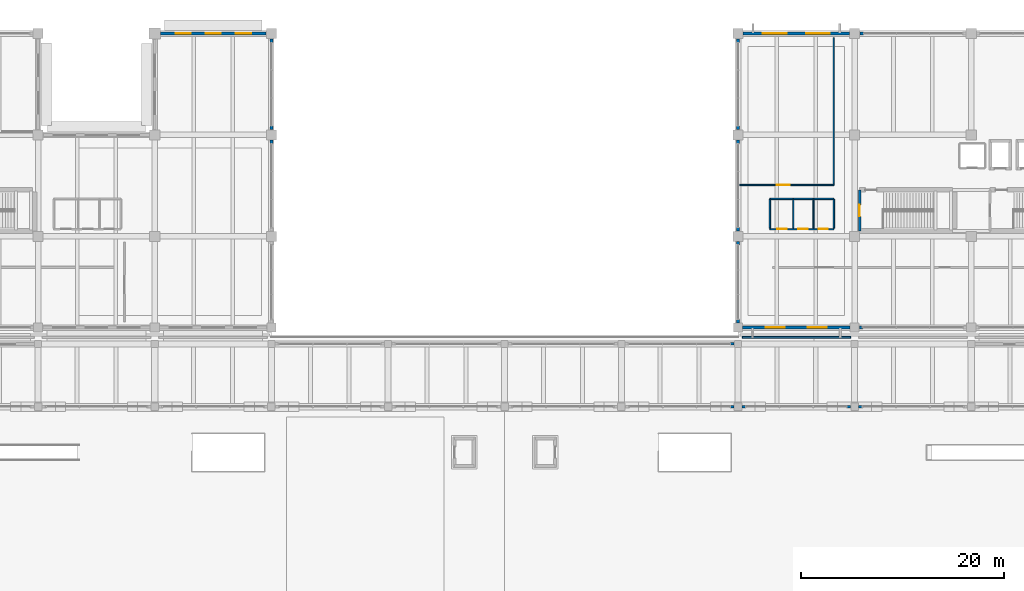
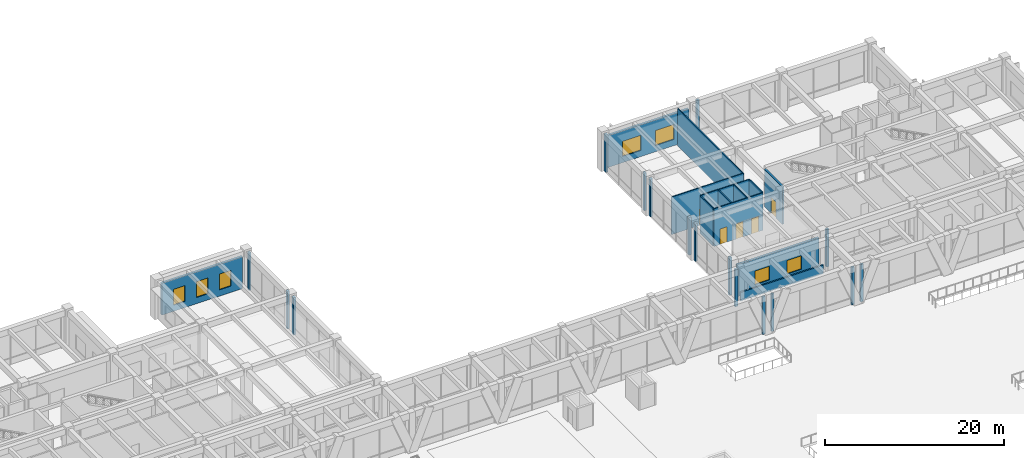
# One storey, part 130 of 148: 29 walls, 7 windows, 5 doors, 12 openings.
"""IFC4 building model written with IfcOpenShell, lengths in metres."""

from ifc_helpers import new_model, si_unit, direction, frame, frame_2d, origin, place, context, subcontext, project, spatial, rectangle, extrude, material, layer, layer_set, type_object, element, fill, save


model = new_model("IFC4")

# Units and contexts
model_context = context("Model", 3, precision=1e-05, world=origin(), true_north=direction((0.0, 1.0)))
body_context = subcontext(model_context, "Body", "Model", "MODEL_VIEW")
ifc_project = project(units=[si_unit("LENGTHUNIT", "METRE"), si_unit("AREAUNIT", "SQUARE_METRE"), si_unit("VOLUMEUNIT", "CUBIC_METRE"), si_unit("PLANEANGLEUNIT", "RADIAN"), si_unit("MASSUNIT", "GRAM", prefix="KILO")], contexts=[model_context])

# Site, building, storey
site_placement = place(None, origin())
site = spatial("IfcSite", under=ifc_project, at=site_placement, CompositionType="ELEMENT")
building_placement = place(site_placement, origin())
building = spatial("IfcBuilding", under=site, at=building_placement, Name="Ologun Quay Terminus", CompositionType="ELEMENT")
storey_placement = place(building_placement, frame((0.0, 0.0, 8.39990234375)))
storey = spatial("IfcBuildingStorey", under=building, at=storey_placement, Name="L02", CompositionType="ELEMENT", Elevation=8.39990234375)

# Wall, opening, door
ifc_material_1 = material(Name="Glass", Category="glass")
ifc_layer_1 = layer(ifc_material_1, 0.125)
ifc_layer_set_1 = layer_set([ifc_layer_1], Name="Glass")
wall_type_1 = type_object("IfcWallType", Name="Control Room Observation Glazed Partition 125", PredefinedType="MOVABLE", material=ifc_layer_set_1)
wall_1_placement = place(storey_placement, frame((115.159912109375, 99.85009765625, 0.0), z_axis=(0.0, 0.0, 1.0), x_axis=(1.0, 0.0, 0.0)))
wall_1 = element("IfcWall", 1, at=wall_1_placement, inside=storey, type_object=wall_type_1, Name="PW-12 Partition L02-CTC-E", PredefinedType="MOVABLE", context=body_context, shape_type="SweptSolid", body=[
    extrude(rectangle(XDim=9.2900390625, YDim=0.125, at=frame_2d((4.64501953125, 0.0))), origin(), (0.0, 0.0, 1.0), 5.1201171875),
])
opening_1_placement = place(wall_1_placement, frame((3.639892578125, 0.0, 0.0)))
opening_1 = element("IfcOpeningElement", 2, at=opening_1_placement, cuts=wall_1, Name="Opening ID-320", PredefinedType="OPENING", context=body_context, shape_type="SweptSolid", body=[
    extrude(rectangle(XDim=1.300048828125, YDim=2.199951171875, at=frame_2d((0.64990234375, 1.10009765625))), frame((0.0, 0.072509765625, 0.0), z_axis=(0.0, -1.0, 0.0), x_axis=(1.0, 0.0, 0.0)), (0.0, 0.0, 1.0), 0.14501953125),
])
ifc_material_2 = material(Name="Steel S355", Category="steel")
door_type_1 = type_object("IfcDoorType", Name="Traffic Control Security Door 1300x2200", OperationType="SINGLE_SWING_LEFT", PredefinedType="DOOR", material=ifc_material_2)
door_1_placement = place(opening_1_placement, origin())
door_1 = element("IfcDoor", 3, at=door_1_placement, inside=storey, type_object=door_type_1, Name="ID-09 Door ID-320", OperationType="SINGLE_SWING_LEFT", OverallHeight=2.199951171875, OverallWidth=1.300048828125, PredefinedType="DOOR", context=body_context, shape_type="SweptSolid", body=[
    extrude(rectangle(XDim=1.300048828125, YDim=2.199951171875, at=frame_2d((0.64990234375, 1.10009765625))), frame((0.0, 0.02490234375, 0.0), z_axis=(0.0, -1.0, 0.0), x_axis=(1.0, 0.0, 0.0)), (0.0, 0.0, 1.0), 0.050048828125),
])
fill(opening_1, door_1)

# Walls
wall_2_placement = place(storey_placement, frame((124.449951171875, 99.85009765625, 0.0), z_axis=(0.0, 0.0, 1.0), x_axis=(0.0, 1.0, 0.0)))
element("IfcWall", 4, at=wall_2_placement, inside=storey, type_object=wall_type_1, Name="PW-12 Partition L02-CTC-N", PredefinedType="MOVABLE", context=body_context, shape_type="SweptSolid", body=[
    extrude(rectangle(XDim=14.5498046875, YDim=0.125, at=frame_2d((7.27490234375, 0.0))), origin(), (0.0, 0.0, 1.0), 5.1201171875),
])
ifc_material_3 = material(Name="Concrete C40/50", Category="concrete")
ifc_layer_2 = layer(ifc_material_3, 0.280029296875)
ifc_layer_set_2 = layer_set([ifc_layer_2], Name="Concrete C40/50")
wall_type_2 = type_object("IfcWallType", Name="Courtyard Wing Spandrel Concrete Wall 280", PredefinedType="SOLIDWALL", material=ifc_layer_set_2)
wall_3_placement = place(storey_placement, frame((69.0, 103.929931640625, 0.0), z_axis=(0.0, 0.0, 1.0), x_axis=(0.0, 1.0, 0.0)))
element("IfcWall", 5, at=wall_3_placement, inside=storey, type_object=wall_type_2, Name="Curtain Wall Jamb Pier CW-L02-106-J2", PredefinedType="SOLIDWALL", context=body_context, shape_type="SweptSolid", body=[
    extrude(rectangle(XDim=0.35009765625, YDim=0.280029296875, at=frame_2d((0.175048828125, 0.0))), origin(), (0.0, 0.0, 1.0), 5.130126953125),
])
wall_4_placement = place(storey_placement, frame((69.0, 105.320068359375, 0.0), z_axis=(0.0, 0.0, 1.0), x_axis=(0.0, 1.0, 0.0)))
element("IfcWall", 6, at=wall_4_placement, inside=storey, type_object=wall_type_2, Name="Curtain Wall Jamb Pier CW-L02-107-J1", PredefinedType="SOLIDWALL", context=body_context, shape_type="SweptSolid", body=[
    extrude(rectangle(XDim=0.349853515625, YDim=0.280029296875, at=frame_2d((0.1748046875, 0.0))), origin(), (0.0, 0.0, 1.0), 5.130126953125),
])
wall_5_placement = place(storey_placement, frame((69.0, 113.929931640625, 0.0), z_axis=(0.0, 0.0, 1.0), x_axis=(0.0, 1.0, 0.0)))
element("IfcWall", 7, at=wall_5_placement, inside=storey, type_object=wall_type_2, Name="Curtain Wall Jamb Pier CW-L02-107-J2", PredefinedType="SOLIDWALL", context=body_context, shape_type="SweptSolid", body=[
    extrude(rectangle(XDim=0.35009765625, YDim=0.280029296875, at=frame_2d((0.175048828125, 0.0))), origin(), (0.0, 0.0, 1.0), 5.130126953125),
])

# Wall, openings, windows
wall_6_placement = place(storey_placement, frame((58.070068359375, 114.800048828125, 0.0), z_axis=(0.0, 0.0, 1.0), x_axis=(1.0, 0.0, 0.0)))
wall_6 = element("IfcWall", 8, at=wall_6_placement, inside=storey, type_object=wall_type_2, Name="EW-02 Facade Wall WEW-WW-N-L02-10", PredefinedType="SOLIDWALL", context=body_context, shape_type="SweptSolid", body=[
    extrude(rectangle(XDim=10.409912109375, YDim=0.280029296875, at=frame_2d((5.205078125, 0.0))), origin(), (0.0, 0.0, 1.0), 4.35009765625),
])
opening_2_placement = place(wall_6_placement, frame((1.4775390625, 0.0, 0.85009765625)))
opening_2 = element("IfcOpeningElement", 9, at=opening_2_placement, cuts=wall_6, Name="Opening WN-253", PredefinedType="OPENING", context=body_context, shape_type="SweptSolid", body=[
    extrude(rectangle(XDim=1.5, YDim=2.14990234375, at=frame_2d((0.75, 1.074951171875))), frame((0.0, 0.14990234375, 0.0), z_axis=(0.0, -1.0, 0.0), x_axis=(1.0, 0.0, 0.0)), (0.0, 0.0, 1.0), 0.300048828125),
])
opening_3_placement = place(wall_6_placement, frame((4.455078125, 0.0, 0.85009765625)))
opening_3 = element("IfcOpeningElement", 10, at=opening_3_placement, cuts=wall_6, Name="Opening WN-254", PredefinedType="OPENING", context=body_context, shape_type="SweptSolid", body=[
    extrude(rectangle(XDim=1.5, YDim=2.14990234375, at=frame_2d((0.75, 1.074951171875))), frame((0.0, 0.14990234375, 0.0), z_axis=(0.0, -1.0, 0.0), x_axis=(1.0, 0.0, 0.0)), (0.0, 0.0, 1.0), 0.300048828125),
])
opening_4_placement = place(wall_6_placement, frame((7.4326171875, 0.0, 0.85009765625)))
opening_4 = element("IfcOpeningElement", 11, at=opening_4_placement, cuts=wall_6, Name="Opening WN-255", PredefinedType="OPENING", context=body_context, shape_type="SweptSolid", body=[
    extrude(rectangle(XDim=1.5, YDim=2.14990234375, at=frame_2d((0.75, 1.074951171875))), frame((0.0, 0.14990234375, 0.0), z_axis=(0.0, -1.0, 0.0), x_axis=(1.0, 0.0, 0.0)), (0.0, 0.0, 1.0), 0.300048828125),
])
ifc_material_4 = material(Name="Glass", Category="glass")
window_type_1 = type_object("IfcWindowType", Name="Community Hall Tall Window 1500x2150", PartitioningType="SINGLE_PANEL", PredefinedType="WINDOW", material=ifc_material_4)
window_1_placement = place(opening_2_placement, origin())
window_1 = element("IfcWindow", 12, at=window_1_placement, inside=storey, type_object=window_type_1, Name="W-14 Window WN-253", OverallHeight=2.14990234375, OverallWidth=1.5, PartitioningType="SINGLE_PANEL", PredefinedType="WINDOW", context=body_context, shape_type="SweptSolid", body=[
    extrude(rectangle(XDim=1.5, YDim=2.14990234375, at=frame_2d((0.75, 1.074951171875))), frame((0.0, 0.030029296875, 0.0), z_axis=(0.0, -1.0, 0.0), x_axis=(1.0, 0.0, 0.0)), (0.0, 0.0, 1.0), 0.06005859375),
])
fill(opening_2, window_1)
window_2_placement = place(opening_3_placement, origin())
window_2 = element("IfcWindow", 13, at=window_2_placement, inside=storey, type_object=window_type_1, Name="W-14 Window WN-254", OverallHeight=2.14990234375, OverallWidth=1.5, PartitioningType="SINGLE_PANEL", PredefinedType="WINDOW", context=body_context, shape_type="SweptSolid", body=[
    extrude(rectangle(XDim=1.5, YDim=2.14990234375, at=frame_2d((0.75, 1.074951171875))), frame((0.0, 0.030029296875, 0.0), z_axis=(0.0, -1.0, 0.0), x_axis=(1.0, 0.0, 0.0)), (0.0, 0.0, 1.0), 0.06005859375),
])
fill(opening_3, window_2)
window_3_placement = place(opening_4_placement, origin())
window_3 = element("IfcWindow", 14, at=window_3_placement, inside=storey, type_object=window_type_1, Name="W-14 Window WN-255", OverallHeight=2.14990234375, OverallWidth=1.5, PartitioningType="SINGLE_PANEL", PredefinedType="WINDOW", context=body_context, shape_type="SweptSolid", body=[
    extrude(rectangle(XDim=1.5, YDim=2.14990234375, at=frame_2d((0.75, 1.074951171875))), frame((0.0, 0.030029296875, 0.0), z_axis=(0.0, -1.0, 0.0), x_axis=(1.0, 0.0, 0.0)), (0.0, 0.0, 1.0), 0.06005859375),
])
fill(opening_4, window_3)

wall_7_placement = place(storey_placement, frame((115.469970703125, 85.800048828125, 0.0), z_axis=(0.0, 0.0, 1.0), x_axis=(1.0, 0.0, 0.0)))
wall_7 = element("IfcWall", 15, at=wall_7_placement, inside=storey, type_object=wall_type_2, Name="EW-02 Facade Wall WEW-EW-L02-1", PredefinedType="SOLIDWALL", context=body_context, shape_type="SweptSolid", body=[
    extrude(rectangle(XDim=10.56005859375, YDim=0.280029296875, at=frame_2d((5.280029296875, 0.0))), origin(), (0.0, 0.0, 1.0), 4.35009765625),
])
opening_5_placement = place(wall_7_placement, frame((2.28662109375, 0.0, 0.85009765625)))
opening_5 = element("IfcOpeningElement", 16, at=opening_5_placement, cuts=wall_7, Name="Opening WN-386", PredefinedType="OPENING", context=body_context, shape_type="SweptSolid", body=[
    extrude(rectangle(XDim=1.85009765625, YDim=1.85009765625, at=frame_2d((0.925048828125, 0.925048828125))), frame((0.0, 0.14990234375, 0.0), z_axis=(0.0, -1.0, 0.0), x_axis=(1.0, 0.0, 0.0)), (0.0, 0.0, 1.0), 0.300048828125),
])
opening_6_placement = place(wall_7_placement, frame((6.42333984375, 0.0, 0.85009765625)))
opening_6 = element("IfcOpeningElement", 17, at=opening_6_placement, cuts=wall_7, Name="Opening WN-387", PredefinedType="OPENING", context=body_context, shape_type="SweptSolid", body=[
    extrude(rectangle(XDim=1.85009765625, YDim=1.85009765625, at=frame_2d((0.925048828125, 0.925048828125))), frame((0.0, 0.14990234375, 0.0), z_axis=(0.0, -1.0, 0.0), x_axis=(1.0, 0.0, 0.0)), (0.0, 0.0, 1.0), 0.300048828125),
])
ifc_material_5 = material(Name="Glass", Category="glass")
window_type_2 = type_object("IfcWindowType", Name="SCADA Control Glazed Window 1850x1850", PartitioningType="SINGLE_PANEL", PredefinedType="WINDOW", material=ifc_material_5)
window_4_placement = place(opening_5_placement, origin())
window_4 = element("IfcWindow", 18, at=window_4_placement, inside=storey, type_object=window_type_2, Name="W-20 Window WN-386", OverallHeight=1.85009765625, OverallWidth=1.85009765625, PartitioningType="SINGLE_PANEL", PredefinedType="WINDOW", context=body_context, shape_type="SweptSolid", body=[
    extrude(rectangle(XDim=1.85009765625, YDim=1.85009765625, at=frame_2d((0.925048828125, 0.925048828125))), frame((0.0, 0.030029296875, 0.0), z_axis=(0.0, -1.0, 0.0), x_axis=(1.0, 0.0, 0.0)), (0.0, 0.0, 1.0), 0.06005859375),
])
fill(opening_5, window_4)
window_5_placement = place(opening_6_placement, origin())
window_5 = element("IfcWindow", 19, at=window_5_placement, inside=storey, type_object=window_type_2, Name="W-20 Window WN-387", OverallHeight=1.85009765625, OverallWidth=1.85009765625, PartitioningType="SINGLE_PANEL", PredefinedType="WINDOW", context=body_context, shape_type="SweptSolid", body=[
    extrude(rectangle(XDim=1.85009765625, YDim=1.85009765625, at=frame_2d((0.925048828125, 0.925048828125))), frame((0.0, 0.030029296875, 0.0), z_axis=(0.0, -1.0, 0.0), x_axis=(1.0, 0.0, 0.0)), (0.0, 0.0, 1.0), 0.06005859375),
])
fill(opening_6, window_5)

# Wall
wall_8_placement = place(storey_placement, frame((126.969970703125, 85.800048828125, 0.0), z_axis=(0.0, 0.0, 1.0), x_axis=(1.0, 0.0, 0.0)))
element("IfcWall", 20, at=wall_8_placement, inside=storey, type_object=wall_type_2, Name="Curtain Wall Jamb Pier CW-L02-131-J1", PredefinedType="SOLIDWALL", context=body_context, shape_type="SweptSolid", body=[
    extrude(rectangle(XDim=0.35009765625, YDim=0.280029296875, at=frame_2d((0.175048828125, 0.0))), origin(), (0.0, 0.0, 1.0), 5.130126953125),
])

# Wall, openings, windows
wall_9_placement = place(storey_placement, frame((115.52001953125, 114.800048828125, 0.0), z_axis=(0.0, 0.0, 1.0), x_axis=(1.0, 0.0, 0.0)))
wall_9 = element("IfcWall", 21, at=wall_9_placement, inside=storey, type_object=wall_type_2, Name="EW-02 Facade Wall WEW-EW-L02-17", PredefinedType="SOLIDWALL", context=body_context, shape_type="SweptSolid", body=[
    extrude(rectangle(XDim=10.4599609375, YDim=0.280029296875, at=frame_2d((5.22998046875, 0.0))), origin(), (0.0, 0.0, 1.0), 4.35009765625),
])
opening_7_placement = place(wall_9_placement, frame((1.919921875, 0.0, 0.85009765625)))
opening_7 = element("IfcOpeningElement", 22, at=opening_7_placement, cuts=wall_9, Name="Opening WN-413", PredefinedType="OPENING", context=body_context, shape_type="SweptSolid", body=[
    extrude(rectangle(XDim=2.35009765625, YDim=2.050048828125, at=frame_2d((1.175048828125, 1.02490234375))), frame((0.0, 0.14990234375, 0.0), z_axis=(0.0, -1.0, 0.0), x_axis=(1.0, 0.0, 0.0)), (0.0, 0.0, 1.0), 0.300048828125),
])
opening_8_placement = place(wall_9_placement, frame((6.18994140625, 0.0, 0.85009765625)))
opening_8 = element("IfcOpeningElement", 23, at=opening_8_placement, cuts=wall_9, Name="Opening WN-414", PredefinedType="OPENING", context=body_context, shape_type="SweptSolid", body=[
    extrude(rectangle(XDim=2.35009765625, YDim=2.050048828125, at=frame_2d((1.175048828125, 1.02490234375))), frame((0.0, 0.14990234375, 0.0), z_axis=(0.0, -1.0, 0.0), x_axis=(1.0, 0.0, 0.0)), (0.0, 0.0, 1.0), 0.300048828125),
])
ifc_material_6 = material(Name="Glass", Category="glass")
window_type_3 = type_object("IfcWindowType", Name="Traffic Control Acoustic Window 2350x2050", PartitioningType="SINGLE_PANEL", PredefinedType="WINDOW", material=ifc_material_6)
window_6_placement = place(opening_7_placement, origin())
window_6 = element("IfcWindow", 24, at=window_6_placement, inside=storey, type_object=window_type_3, Name="W-19 Window WN-413", OverallHeight=2.050048828125, OverallWidth=2.35009765625, PartitioningType="SINGLE_PANEL", PredefinedType="WINDOW", context=body_context, shape_type="SweptSolid", body=[
    extrude(rectangle(XDim=2.35009765625, YDim=2.050048828125, at=frame_2d((1.175048828125, 1.02490234375))), frame((0.0, 0.030029296875, 0.0), z_axis=(0.0, -1.0, 0.0), x_axis=(1.0, 0.0, 0.0)), (0.0, 0.0, 1.0), 0.06005859375),
])
fill(opening_7, window_6)
window_7_placement = place(opening_8_placement, origin())
window_7 = element("IfcWindow", 25, at=window_7_placement, inside=storey, type_object=window_type_3, Name="W-19 Window WN-414", OverallHeight=2.050048828125, OverallWidth=2.35009765625, PartitioningType="SINGLE_PANEL", PredefinedType="WINDOW", context=body_context, shape_type="SweptSolid", body=[
    extrude(rectangle(XDim=2.35009765625, YDim=2.050048828125, at=frame_2d((1.175048828125, 1.02490234375))), frame((0.0, 0.030029296875, 0.0), z_axis=(0.0, -1.0, 0.0), x_axis=(1.0, 0.0, 0.0)), (0.0, 0.0, 1.0), 0.06005859375),
])
fill(opening_8, window_7)

# Walls
for number, where, z_axis, x_axis, name in (
    (26, (127.02001953125, 114.800048828125, 0.0), (0.0, 0.0, 1.0), (1.0, 0.0, 0.0), "Curtain Wall Jamb Pier CW-L02-133-J1"),
    (27, (115.0, 86.27001953125, 0.0), (0.0, 0.0, 1.0), (0.0, 1.0, 0.0), "Curtain Wall Jamb Pier CW-L02-135-J1"),
    (28, (115.0, 93.929931640625, 0.0), (0.0, 0.0, 1.0), (0.0, 1.0, 0.0), "Curtain Wall Jamb Pier CW-L02-135-J2"),
):
    element("IfcWall", number, at=place(storey_placement, frame(where, z_axis=z_axis, x_axis=x_axis)), inside=storey, type_object=wall_type_2, Name=name, PredefinedType="SOLIDWALL", context=body_context, shape_type="SweptSolid", body=[
        extrude(rectangle(XDim=0.35009765625, YDim=0.280029296875, at=frame_2d((0.175048828125, 0.0))), origin(), (0.0, 0.0, 1.0), 5.130126953125),
    ])
wall_10_placement = place(storey_placement, frame((115.0, 95.320068359375, 0.0), z_axis=(0.0, 0.0, 1.0), x_axis=(0.0, 1.0, 0.0)))
element("IfcWall", 29, at=wall_10_placement, inside=storey, type_object=wall_type_2, Name="Curtain Wall Jamb Pier CW-L02-136-J1", PredefinedType="SOLIDWALL", context=body_context, shape_type="SweptSolid", body=[
    extrude(rectangle(XDim=0.349853515625, YDim=0.280029296875, at=frame_2d((0.1748046875, 0.0))), origin(), (0.0, 0.0, 1.0), 5.130126953125),
])
wall_11_placement = place(storey_placement, frame((115.0, 103.929931640625, 0.0), z_axis=(0.0, 0.0, 1.0), x_axis=(0.0, 1.0, 0.0)))
element("IfcWall", 30, at=wall_11_placement, inside=storey, type_object=wall_type_2, Name="Curtain Wall Jamb Pier CW-L02-136-J2", PredefinedType="SOLIDWALL", context=body_context, shape_type="SweptSolid", body=[
    extrude(rectangle(XDim=0.35009765625, YDim=0.280029296875, at=frame_2d((0.175048828125, 0.0))), origin(), (0.0, 0.0, 1.0), 5.130126953125),
])
wall_12_placement = place(storey_placement, frame((115.0, 105.320068359375, 0.0), z_axis=(0.0, 0.0, 1.0), x_axis=(0.0, 1.0, 0.0)))
element("IfcWall", 31, at=wall_12_placement, inside=storey, type_object=wall_type_2, Name="Curtain Wall Jamb Pier CW-L02-137-J1", PredefinedType="SOLIDWALL", context=body_context, shape_type="SweptSolid", body=[
    extrude(rectangle(XDim=0.349853515625, YDim=0.280029296875, at=frame_2d((0.1748046875, 0.0))), origin(), (0.0, 0.0, 1.0), 5.130126953125),
])
wall_13_placement = place(storey_placement, frame((115.0, 113.929931640625, 0.0), z_axis=(0.0, 0.0, 1.0), x_axis=(0.0, 1.0, 0.0)))
element("IfcWall", 32, at=wall_13_placement, inside=storey, type_object=wall_type_2, Name="Curtain Wall Jamb Pier CW-L02-137-J2", PredefinedType="SOLIDWALL", context=body_context, shape_type="SweptSolid", body=[
    extrude(rectangle(XDim=0.35009765625, YDim=0.280029296875, at=frame_2d((0.175048828125, 0.0))), origin(), (0.0, 0.0, 1.0), 5.130126953125),
])

# Wall, opening, door
ifc_material_7 = material(Name="Concrete C40/50", Category="concrete")
ifc_layer_3 = layer(ifc_material_7, 0.239990234375)
ifc_layer_set_3 = layer_set([ifc_layer_3], Name="Concrete C40/50")
wall_type_3 = type_object("IfcWallType", Name="Fire Compartment Blockwork Wall 240", PredefinedType="SOLIDWALL", material=ifc_layer_set_3)
wall_14_placement = place(storey_placement, frame((127.0, 95.330078125, 0.0), z_axis=(0.0, 0.0, 1.0), x_axis=(0.0, 1.0, 0.0)))
wall_14 = element("IfcWall", 33, at=wall_14_placement, inside=storey, type_object=wall_type_3, Name="PW-01 Partition EStair1-W", PredefinedType="SOLIDWALL", context=body_context, shape_type="SweptSolid", body=[
    extrude(rectangle(XDim=4.0400390625, YDim=0.239990234375, at=frame_2d((2.02001953125, 0.0))), origin(), (0.0, 0.0, 1.0), 5.1201171875),
])
opening_9_placement = place(wall_14_placement, frame((1.449951171875, 0.0, 0.0)))
opening_9 = element("IfcOpeningElement", 34, at=opening_9_placement, cuts=wall_14, Name="Opening ID-187", PredefinedType="OPENING", context=body_context, shape_type="SweptSolid", body=[
    extrude(rectangle(XDim=1.1298828125, YDim=2.14990234375, at=frame_2d((0.56494140625, 1.074951171875))), frame((0.0, 0.1298828125, 0.0), z_axis=(0.0, -1.0, 0.0), x_axis=(1.0, 0.0, 0.0)), (0.0, 0.0, 1.0), 0.260009765625),
])
ifc_material_8 = material(Name="Steel S355", Category="steel")
door_type_2 = type_object("IfcDoorType", Name="Stairwell Fire Escape Door 1130x2150", OperationType="SINGLE_SWING_LEFT", PredefinedType="DOOR", material=ifc_material_8)
door_2_placement = place(opening_9_placement, frame((0.56494140625, 0.0, 0.0), z_axis=(0.0, 0.0, 1.0), x_axis=(-1.0, 0.0, 0.0)))
door_2 = element("IfcDoor", 35, at=door_2_placement, inside=storey, type_object=door_type_2, Name="FD-01 Door ID-187", OperationType="SINGLE_SWING_LEFT", OverallHeight=2.14990234375, OverallWidth=1.1298828125, PredefinedType="DOOR", context=body_context, shape_type="SweptSolid", body=[
    extrude(rectangle(XDim=1.1298828125, YDim=2.14990234375, at=frame_2d((0.0, 1.074951171875))), frame((0.0, 0.02490234375, 0.0), z_axis=(0.0, -1.0, 0.0), x_axis=(1.0, 0.0, 0.0)), (0.0, 0.0, 1.0), 0.050048828125),
])
fill(opening_9, door_2)

# Walls
ifc_material_9 = material(Name="Gypsum Acoustic Stud")
ifc_layer_4 = layer(ifc_material_9, 0.10498046875)
ifc_layer_set_4 = layer_set([ifc_layer_4], Name="Gypsum Acoustic Stud")
wall_type_4 = type_object("IfcWallType", Name="Light Cubicle Partition 105", PredefinedType="PARTITIONING", material=ifc_layer_set_4)
for number, where, z_axis, x_axis, name in (
    (36, (120.449951171875, 95.60009765625, 0.0), (0.0, 0.0, 1.0), (0.0, 1.0, 0.0), "PW-13 Partition EWC-D1"),
    (37, (122.449951171875, 95.60009765625, 0.0), (0.0, 0.0, 1.0), (0.0, 1.0, 0.0), "PW-13 Partition EWC-D2"),
):
    element("IfcWall", number, at=place(storey_placement, frame(where, z_axis=z_axis, x_axis=x_axis)), inside=storey, type_object=wall_type_4, Name=name, PredefinedType="PARTITIONING", context=body_context, shape_type="SweptSolid", body=[
        extrude(rectangle(XDim=2.849853515625, YDim=0.10498046875, at=frame_2d((1.4248046875, 0.0))), origin(), (0.0, 0.0, 1.0), 5.1201171875),
    ])
ifc_material_10 = material(Name="Concrete C40/50", Category="concrete")
ifc_layer_5 = layer(ifc_material_10, 0.18994140625)
ifc_layer_set_5 = layer_set([ifc_layer_5], Name="Concrete C40/50")
wall_type_5 = type_object("IfcWallType", Name="Movement Joint Weathering Upstand 190", PredefinedType="PARAPET", material=ifc_layer_set_5)
wall_15_placement = place(storey_placement, frame((115.39990234375, 84.860107421875, 0.0), z_axis=(0.0, 0.0, 1.0), x_axis=(1.0, 0.0, 0.0)))
element("IfcWall", 38, at=wall_15_placement, inside=storey, type_object=wall_type_5, Name="EW-07 Movement Joint Upstand L02-11", PredefinedType="PARAPET", context=body_context, shape_type="SweptSolid", body=[
    extrude(rectangle(XDim=10.7001953125, YDim=0.18994140625, at=frame_2d((5.35009765625, 0.0))), origin(), (0.0, 0.0, 1.0), 1.150146484375),
])

# Wall, openings, doors
ifc_material_11 = material(Name="Concrete C40/50", Category="concrete")
ifc_layer_6 = layer(ifc_material_11, 0.139892578125)
ifc_layer_set_6 = layer_set([ifc_layer_6], Name="Concrete C40/50")
wall_type_6 = type_object("IfcWallType", Name="Sanitary Wet-Area Blockwork Wall 140", PredefinedType="PLUMBINGWALL", material=ifc_layer_set_6)
wall_16_placement = place(storey_placement, frame((118.14990234375, 95.5, 0.0), z_axis=(0.0, 0.0, 1.0), x_axis=(1.0, 0.0, 0.0)))
wall_16 = element("IfcWall", 39, at=wall_16_placement, inside=storey, type_object=wall_type_6, Name="PW-06 Partition EWC-S", PredefinedType="PLUMBINGWALL", context=body_context, shape_type="SweptSolid", body=[
    extrude(rectangle(XDim=6.300048828125, YDim=0.139892578125, at=frame_2d((3.14990234375, 0.0))), origin(), (0.0, 0.0, 1.0), 5.1201171875),
])
opening_10_placement = place(wall_16_placement, frame((0.719970703125, 0.0, 0.0)))
opening_10 = element("IfcOpeningElement", 40, at=opening_10_placement, cuts=wall_16, Name="Opening ID-193", PredefinedType="OPENING", context=body_context, shape_type="SweptSolid", body=[
    extrude(rectangle(XDim=0.949951171875, YDim=2.10009765625, at=frame_2d((0.47509765625, 1.050048828125))), frame((0.0, 0.080078125, 0.0), z_axis=(0.0, -1.0, 0.0), x_axis=(1.0, 0.0, 0.0)), (0.0, 0.0, 1.0), 0.159912109375),
])
opening_11_placement = place(wall_16_placement, frame((2.800048828125, 0.0, 0.0)))
opening_11 = element("IfcOpeningElement", 41, at=opening_11_placement, cuts=wall_16, Name="Opening ID-194", PredefinedType="OPENING", context=body_context, shape_type="SweptSolid", body=[
    extrude(rectangle(XDim=0.919921875, YDim=2.10009765625, at=frame_2d((0.4599609375, 1.050048828125))), frame((0.0, 0.080078125, 0.0), z_axis=(0.0, -1.0, 0.0), x_axis=(1.0, 0.0, 0.0)), (0.0, 0.0, 1.0), 0.159912109375),
])
opening_12_placement = place(wall_16_placement, frame((4.800048828125, 0.0, 0.0)))
opening_12 = element("IfcOpeningElement", 42, at=opening_12_placement, cuts=wall_16, Name="Opening ID-195", PredefinedType="OPENING", context=body_context, shape_type="SweptSolid", body=[
    extrude(rectangle(XDim=0.919921875, YDim=2.10009765625, at=frame_2d((0.4599609375, 1.050048828125))), frame((0.0, 0.080078125, 0.0), z_axis=(0.0, -1.0, 0.0), x_axis=(1.0, 0.0, 0.0)), (0.0, 0.0, 1.0), 0.159912109375),
])
ifc_material_12 = material(Name="Timber Hardwood", Category="wood")
door_type_3 = type_object("IfcDoorType", Name="Accessible WC Outward-Swing Door 950x2100", OperationType="SINGLE_SWING_LEFT", PredefinedType="DOOR", material=ifc_material_12)
door_3_placement = place(opening_10_placement, frame((0.47509765625, 0.0, 0.0), z_axis=(0.0, 0.0, 1.0), x_axis=(-1.0, 0.0, 0.0)))
door_3 = element("IfcDoor", 43, at=door_3_placement, inside=storey, type_object=door_type_3, Name="ID-04 Door ID-193", OperationType="SINGLE_SWING_LEFT", OverallHeight=2.10009765625, OverallWidth=0.949951171875, PredefinedType="DOOR", context=body_context, shape_type="SweptSolid", body=[
    extrude(rectangle(XDim=0.949951171875, YDim=2.10009765625, at=frame_2d((0.0, 1.050048828125))), frame((0.0, 0.02490234375, 0.0), z_axis=(0.0, -1.0, 0.0), x_axis=(1.0, 0.0, 0.0)), (0.0, 0.0, 1.0), 0.050048828125),
])
fill(opening_10, door_3)
ifc_material_13 = material(Name="Timber Hardwood", Category="wood")
door_type_4 = type_object("IfcDoorType", Name="Sanitary Block Entrance Door 920x2100", OperationType="SINGLE_SWING_RIGHT", PredefinedType="DOOR", material=ifc_material_13)
door_4_placement = place(opening_11_placement, origin())
door_4 = element("IfcDoor", 44, at=door_4_placement, inside=storey, type_object=door_type_4, Name="ID-05 Door ID-194", OperationType="SINGLE_SWING_RIGHT", OverallHeight=2.10009765625, OverallWidth=0.919921875, PredefinedType="DOOR", context=body_context, shape_type="SweptSolid", body=[
    extrude(rectangle(XDim=0.919921875, YDim=2.10009765625, at=frame_2d((0.4599609375, 1.050048828125))), frame((0.0, 0.02490234375, 0.0), z_axis=(0.0, -1.0, 0.0), x_axis=(1.0, 0.0, 0.0)), (0.0, 0.0, 1.0), 0.050048828125),
])
fill(opening_11, door_4)
door_5_placement = place(opening_12_placement, origin())
door_5 = element("IfcDoor", 45, at=door_5_placement, inside=storey, type_object=door_type_4, Name="ID-05 Door ID-195", OperationType="SINGLE_SWING_RIGHT", OverallHeight=2.10009765625, OverallWidth=0.919921875, PredefinedType="DOOR", context=body_context, shape_type="SweptSolid", body=[
    extrude(rectangle(XDim=0.919921875, YDim=2.10009765625, at=frame_2d((0.4599609375, 1.050048828125))), frame((0.0, 0.02490234375, 0.0), z_axis=(0.0, -1.0, 0.0), x_axis=(1.0, 0.0, 0.0)), (0.0, 0.0, 1.0), 0.050048828125),
])
fill(opening_12, door_5)

# Walls
for number, where, z_axis, x_axis, name in (
    (46, (118.14990234375, 95.60009765625, 0.0), (0.0, 0.0, 1.0), (0.0, 1.0, 0.0), "PW-06 Partition EWC-W"),
    (47, (124.449951171875, 95.60009765625, 0.0), (0.0, 0.0, 1.0), (0.0, 1.0, 0.0), "PW-06 Partition EWC-E"),
):
    element("IfcWall", number, at=place(storey_placement, frame(where, z_axis=z_axis, x_axis=x_axis)), inside=storey, type_object=wall_type_6, Name=name, PredefinedType="PLUMBINGWALL", context=body_context, shape_type="SweptSolid", body=[
        extrude(rectangle(XDim=2.849853515625, YDim=0.139892578125, at=frame_2d((1.4248046875, 0.0))), origin(), (0.0, 0.0, 1.0), 5.1201171875),
    ])
wall_17_placement = place(storey_placement, frame((118.14990234375, 98.5, 0.0), z_axis=(0.0, 0.0, 1.0), x_axis=(1.0, 0.0, 0.0)))
element("IfcWall", 48, at=wall_17_placement, inside=storey, type_object=wall_type_6, Name="PW-06 Partition EWC-N", PredefinedType="PLUMBINGWALL", context=body_context, shape_type="SweptSolid", body=[
    extrude(rectangle(XDim=6.300048828125, YDim=0.139892578125, at=frame_2d((3.14990234375, 0.0))), origin(), (0.0, 0.0, 1.0), 5.1201171875),
])
ifc_material_14 = material(Name="Concrete C40/50", Category="concrete")
ifc_layer_7 = layer(ifc_material_14, 0.260009765625)
ifc_layer_set_7 = layer_set([ifc_layer_7], Name="Concrete C40/50")
wall_type_7 = type_object("IfcWallType", Name="Train Shed Clerestory Upstand Wall 260", PredefinedType="SOLIDWALL", material=ifc_layer_set_7)
for number, where, z_axis, x_axis, name in (
    (49, (114.2548828125, 78.0, 0.0), (0.0, 0.0, 1.0), (1.0, 0.0, 0.0), "Curtain Wall Jamb Pier CW-L02-063-J2"),
    (50, (115.39501953125, 78.0, 0.0), (0.0, 0.0, 1.0), (1.0, 0.0, 0.0), "Curtain Wall Jamb Pier CW-L02-065-J1"),
    (51, (125.7548828125, 78.0, 0.0), (0.0, 0.0, 1.0), (1.0, 0.0, 0.0), "Curtain Wall Jamb Pier CW-L02-065-J2"),
    (52, (126.89501953125, 78.0, 0.0), (0.0, 0.0, 1.0), (1.0, 0.0, 0.0), "Curtain Wall Jamb Pier CW-L02-067-J1"),
):
    element("IfcWall", number, at=place(storey_placement, frame(where, z_axis=z_axis, x_axis=x_axis)), inside=storey, type_object=wall_type_7, Name=name, PredefinedType="SOLIDWALL", context=body_context, shape_type="SweptSolid", body=[
        extrude(rectangle(XDim=0.35009765625, YDim=0.260009765625, at=frame_2d((0.175048828125, 0.0))), origin(), (0.0, 0.0, 1.0), 5.10009765625),
    ])
wall_18_placement = place(storey_placement, frame((114.280029296875, 84.199951171875, 0.0), z_axis=(0.0, 0.0, 1.0), x_axis=(1.0, 0.0, 0.0)))
element("IfcWall", 53, at=wall_18_placement, inside=storey, type_object=wall_type_7, Name="Curtain Wall Jamb Pier CW-L02-083-J2", PredefinedType="SOLIDWALL", context=body_context, shape_type="SweptSolid", body=[
    extrude(rectangle(XDim=0.349853515625, YDim=0.260009765625, at=frame_2d((0.1748046875, 0.0))), origin(), (0.0, 0.0, 1.0), 5.10009765625),
])

save(model, "model.ifc")
